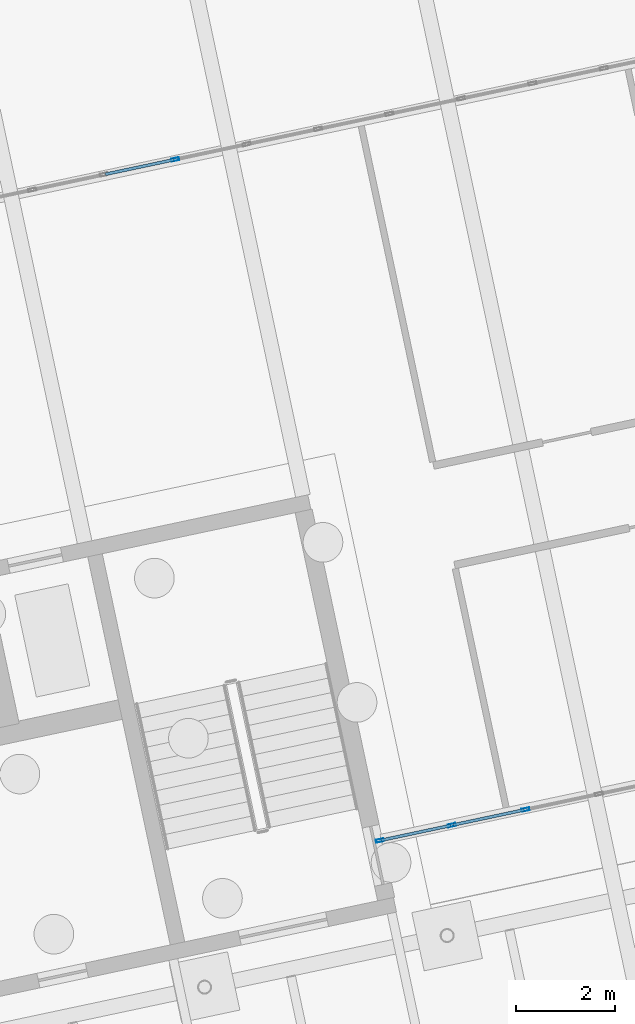
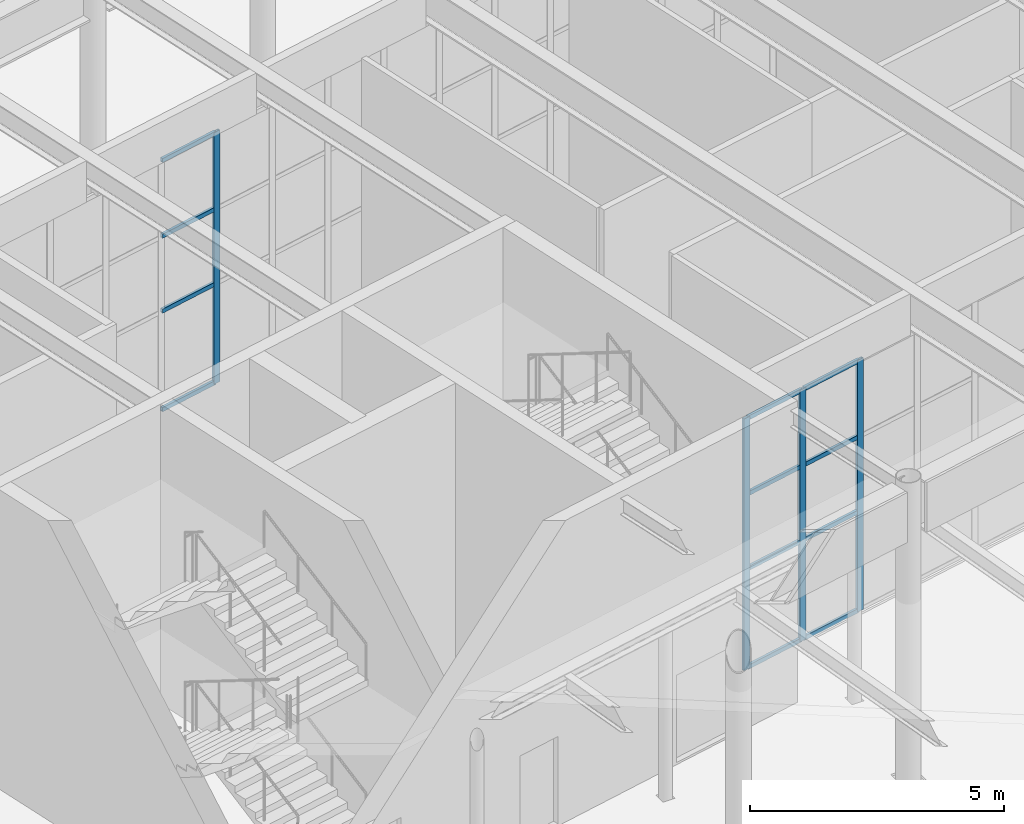
# One storey, part 84 of 239: 16 members, 2 elements without a shape of their own.
"""IFC4 building model written with IfcOpenShell, lengths in metres."""

from ifc_helpers import new_model, si_unit, direction, frame, origin, origin_2d, place, context, subcontext, project, spatial, hollow_rectangle, extrude, material, material_profile, profile_set, type_object, element, aggregate, save


model = new_model("IFC4")

# Units and contexts
model_context = context("Model", 3, precision=1e-05, world=origin(), true_north=direction((0.0, 1.0)))
body_context = subcontext(model_context, "Body", "Model", "MODEL_VIEW")
ifc_project = project(units=[si_unit("LENGTHUNIT", "METRE"), si_unit("AREAUNIT", "SQUARE_METRE"), si_unit("VOLUMEUNIT", "CUBIC_METRE"), si_unit("PLANEANGLEUNIT", "RADIAN"), si_unit("MASSUNIT", "GRAM", prefix="KILO")], contexts=[model_context])

# Site, building, storey
site_placement = place(None, origin())
site = spatial("IfcSite", under=ifc_project, at=site_placement, CompositionType="ELEMENT")
building_placement = place(site_placement, origin())
building = spatial("IfcBuilding", under=site, at=building_placement, Name="Okhra Congress Centre", CompositionType="ELEMENT")
storey_placement = place(building_placement, origin())
storey = spatial("IfcBuildingStorey", under=building, at=storey_placement, Name="L00", CompositionType="ELEMENT", Elevation=0.0)

# Curtain wall, members
ifc_material_1 = material(Name="Aluminium curtain wall, triple glazing", Category="aluminium")
curtain_wall_type = type_object("IfcCurtainWallType", Name="Curtain wall 1500 module", PredefinedType="NOTDEFINED", material=ifc_material_1)
curtain_wall_1_placement = place(storey_placement, origin())
curtain_wall_1 = element("IfcCurtainWall", 1, at=curtain_wall_1_placement, inside=storey, type_object=curtain_wall_type, Name="Ground curtain wall S4", PredefinedType="NOTDEFINED")
ifc_material_2 = material(Name="Aluminium alloy EN AW-6063 T66", Category="aluminium")
ifc_material_profile_1 = material_profile(ifc_material_2, hollow_rectangle(XDim=0.06005859375, YDim=0.159912109375, WallThickness=0.00390625, at=origin_2d()), Name="RHS 60x160x4")
ifc_profile_set_1 = profile_set([ifc_material_profile_1], Name="Aluminium alloy EN AW-6063 T66")
member_type_1 = type_object("IfcMemberType", Name="Curtain wall mullion 60x160", PredefinedType="MULLION", material=ifc_profile_set_1)
member_1_placement = place(storey_placement, frame((148.103271484375, 50.28466796875, 0.0), z_axis=(0.0, 0.0, 1.0), x_axis=(-0.207911690818, 0.978147600734, 0.0)))
member_1 = element("IfcMember", 2, at=member_1_placement, type_object=member_type_1, Name="CW7 mullion 1", PredefinedType="MULLION", context=body_context, shape_type="SweptSolid", body=[
    extrude(hollow_rectangle(XDim=0.06005859375, YDim=0.159912109375, WallThickness=0.00390625, at=origin_2d()), origin(), (0.0, 0.0, 1.0), 6.050048828125),
])
member_2_placement = place(storey_placement, frame((149.557861328125, 50.593994140625, 0.0), z_axis=(0.0, 0.0, 1.0), x_axis=(-0.207911690818, 0.978147600734, 0.0)))
member_2 = element("IfcMember", 3, at=member_2_placement, type_object=member_type_1, Name="CW7 mullion 2", PredefinedType="MULLION", context=body_context, shape_type="SweptSolid", body=[
    extrude(hollow_rectangle(XDim=0.06005859375, YDim=0.159912109375, WallThickness=0.00390625, at=origin_2d()), origin(), (0.0, 0.0, 1.0), 6.050048828125),
])
member_3_placement = place(storey_placement, frame((151.041748046875, 50.909423828125, 0.0), z_axis=(0.0, 0.0, 1.0), x_axis=(-0.207911690818, 0.978147600734, 0.0)))
member_3 = element("IfcMember", 4, at=member_3_placement, type_object=member_type_1, Name="CW7 mullion 3", PredefinedType="MULLION", context=body_context, shape_type="SweptSolid", body=[
    extrude(hollow_rectangle(XDim=0.06005859375, YDim=0.159912109375, WallThickness=0.00390625, at=origin_2d()), origin(), (0.0, 0.0, 1.0), 6.050048828125),
])

# Curtain wall, member
curtain_wall_2_placement = place(storey_placement, origin())
curtain_wall_2 = element("IfcCurtainWall", 5, at=curtain_wall_2_placement, inside=storey, type_object=curtain_wall_type, Name="Ground curtain wall N9", PredefinedType="NOTDEFINED")
member_4_placement = place(storey_placement, frame((143.97998046875, 64.017578125, 0.0), z_axis=(0.0, 0.0, 1.0), x_axis=(-0.207911690818, 0.978147600734, 0.0)))
member_4 = element("IfcMember", 6, at=member_4_placement, type_object=member_type_1, Name="CW7 mullion 5", PredefinedType="MULLION", context=body_context, shape_type="SweptSolid", body=[
    extrude(hollow_rectangle(XDim=0.06005859375, YDim=0.159912109375, WallThickness=0.00390625, at=origin_2d()), origin(), (0.0, 0.0, 1.0), 6.050048828125),
])

# Member
ifc_material_profile_2 = material_profile(ifc_material_2, hollow_rectangle(XDim=0.06005859375, YDim=0.10009765625, WallThickness=0.00390625, at=origin_2d()), Name="RHS 60x100x4")
ifc_profile_set_2 = profile_set([ifc_material_profile_2], Name="Aluminium alloy EN AW-6063 T66")
member_type_2 = type_object("IfcMemberType", Name="Curtain wall transom 60x100", PredefinedType="USERDEFINED", material=ifc_profile_set_2)
member_5_placement = place(storey_placement, frame((148.132568359375, 50.291015625, 0.030029296875), z_axis=(0.978161459428, 0.207846480099, 0.0), x_axis=(-0.207846480099, 0.978161459428, 0.0)))
member_5 = element("IfcMember", 7, at=member_5_placement, type_object=member_type_2, Name="CW7 transom 1.1", ObjectType="TRANSOM", PredefinedType="USERDEFINED", context=body_context, shape_type="SweptSolid", body=[
    extrude(hollow_rectangle(XDim=0.06005859375, YDim=0.10009765625, WallThickness=0.00390625, at=origin_2d()), origin(), (0.0, 0.0, 1.0), 1.42724609375),
])

member_6_placement = place(storey_placement, frame((148.132568359375, 50.291015625, 2.39990234375), z_axis=(0.978161459428, 0.207846480099, 0.0), x_axis=(-0.207846480099, 0.978161459428, 0.0)))
member_6 = element("IfcMember", 8, at=member_6_placement, type_object=member_type_2, Name="CW7 transom 1.2", ObjectType="TRANSOM", PredefinedType="USERDEFINED", context=body_context, shape_type="SweptSolid", body=[
    extrude(hollow_rectangle(XDim=0.06005859375, YDim=0.10009765625, WallThickness=0.00390625, at=origin_2d()), origin(), (0.0, 0.0, 1.0), 1.42724609375),
])

member_7_placement = place(storey_placement, frame((148.132568359375, 50.291015625, 4.199951171875), z_axis=(0.978161459428, 0.207846480099, 0.0), x_axis=(-0.207846480099, 0.978161459428, 0.0)))
member_7 = element("IfcMember", 9, at=member_7_placement, type_object=member_type_2, Name="CW7 transom 1.3", ObjectType="TRANSOM", PredefinedType="USERDEFINED", context=body_context, shape_type="SweptSolid", body=[
    extrude(hollow_rectangle(XDim=0.06005859375, YDim=0.10009765625, WallThickness=0.00390625, at=origin_2d()), origin(), (0.0, 0.0, 1.0), 1.42724609375),
])

member_8_placement = place(storey_placement, frame((148.132568359375, 50.291015625, 6.02001953125), z_axis=(0.978161459428, 0.207846480099, 0.0), x_axis=(-0.207846480099, 0.978161459428, 0.0)))
member_8 = element("IfcMember", 10, at=member_8_placement, type_object=member_type_2, Name="CW7 transom 1.4", ObjectType="TRANSOM", PredefinedType="USERDEFINED", context=body_context, shape_type="SweptSolid", body=[
    extrude(hollow_rectangle(XDim=0.06005859375, YDim=0.10009765625, WallThickness=0.00390625, at=origin_2d()), origin(), (0.0, 0.0, 1.0), 1.42724609375),
])

member_9_placement = place(storey_placement, frame((149.587158203125, 50.60009765625, 0.030029296875), z_axis=(0.978144370647, 0.2079268866, 0.0), x_axis=(-0.2079268866, 0.978144370647, 0.0)))
member_9 = element("IfcMember", 11, at=member_9_placement, type_object=member_type_2, Name="CW7 transom 2.1", ObjectType="TRANSOM", PredefinedType="USERDEFINED", context=body_context, shape_type="SweptSolid", body=[
    extrude(hollow_rectangle(XDim=0.06005859375, YDim=0.10009765625, WallThickness=0.00390625, at=origin_2d()), origin(), (0.0, 0.0, 1.0), 1.45703125),
])

member_10_placement = place(storey_placement, frame((149.587158203125, 50.60009765625, 2.39990234375), z_axis=(0.978144370647, 0.2079268866, 0.0), x_axis=(-0.2079268866, 0.978144370647, 0.0)))
member_10 = element("IfcMember", 12, at=member_10_placement, type_object=member_type_2, Name="CW7 transom 2.2", ObjectType="TRANSOM", PredefinedType="USERDEFINED", context=body_context, shape_type="SweptSolid", body=[
    extrude(hollow_rectangle(XDim=0.06005859375, YDim=0.10009765625, WallThickness=0.00390625, at=origin_2d()), origin(), (0.0, 0.0, 1.0), 1.45703125),
])

member_11_placement = place(storey_placement, frame((149.587158203125, 50.60009765625, 4.199951171875), z_axis=(0.978144370647, 0.2079268866, 0.0), x_axis=(-0.2079268866, 0.978144370647, 0.0)))
member_11 = element("IfcMember", 13, at=member_11_placement, type_object=member_type_2, Name="CW7 transom 2.3", ObjectType="TRANSOM", PredefinedType="USERDEFINED", context=body_context, shape_type="SweptSolid", body=[
    extrude(hollow_rectangle(XDim=0.06005859375, YDim=0.10009765625, WallThickness=0.00390625, at=origin_2d()), origin(), (0.0, 0.0, 1.0), 1.45703125),
])

member_12_placement = place(storey_placement, frame((149.587158203125, 50.60009765625, 6.02001953125), z_axis=(0.978144370647, 0.2079268866, 0.0), x_axis=(-0.2079268866, 0.978144370647, 0.0)))
member_12 = element("IfcMember", 14, at=member_12_placement, type_object=member_type_2, Name="CW7 transom 2.4", ObjectType="TRANSOM", PredefinedType="USERDEFINED", context=body_context, shape_type="SweptSolid", body=[
    extrude(hollow_rectangle(XDim=0.06005859375, YDim=0.10009765625, WallThickness=0.00390625, at=origin_2d()), origin(), (0.0, 0.0, 1.0), 1.45703125),
])

aggregate(curtain_wall_1, [member_1, member_2, member_3, member_5, member_6, member_7, member_8, member_9, member_10, member_11, member_12])

member_13_placement = place(storey_placement, frame((142.568603515625, 63.717529296875, 0.030029296875), z_axis=(0.978157533477, 0.207864955445, 0.0), x_axis=(-0.207864955445, 0.978157533477, 0.0)))
member_13 = element("IfcMember", 15, at=member_13_placement, type_object=member_type_2, Name="CW7 transom 4.1", ObjectType="TRANSOM", PredefinedType="USERDEFINED", context=body_context, shape_type="SweptSolid", body=[
    extrude(hollow_rectangle(XDim=0.06005859375, YDim=0.10009765625, WallThickness=0.00390625, at=origin_2d()), origin(), (0.0, 0.0, 1.0), 1.412841796875),
])

member_14_placement = place(storey_placement, frame((142.568603515625, 63.717529296875, 2.39990234375), z_axis=(0.978157533477, 0.207864955445, 0.0), x_axis=(-0.207864955445, 0.978157533477, 0.0)))
member_14 = element("IfcMember", 16, at=member_14_placement, type_object=member_type_2, Name="CW7 transom 4.2", ObjectType="TRANSOM", PredefinedType="USERDEFINED", context=body_context, shape_type="SweptSolid", body=[
    extrude(hollow_rectangle(XDim=0.06005859375, YDim=0.10009765625, WallThickness=0.00390625, at=origin_2d()), origin(), (0.0, 0.0, 1.0), 1.412841796875),
])

member_15_placement = place(storey_placement, frame((142.568603515625, 63.717529296875, 4.199951171875), z_axis=(0.978157533477, 0.207864955445, 0.0), x_axis=(-0.207864955445, 0.978157533477, 0.0)))
member_15 = element("IfcMember", 17, at=member_15_placement, type_object=member_type_2, Name="CW7 transom 4.3", ObjectType="TRANSOM", PredefinedType="USERDEFINED", context=body_context, shape_type="SweptSolid", body=[
    extrude(hollow_rectangle(XDim=0.06005859375, YDim=0.10009765625, WallThickness=0.00390625, at=origin_2d()), origin(), (0.0, 0.0, 1.0), 1.412841796875),
])

member_16_placement = place(storey_placement, frame((142.568603515625, 63.717529296875, 6.02001953125), z_axis=(0.978157533477, 0.207864955445, 0.0), x_axis=(-0.207864955445, 0.978157533477, 0.0)))
member_16 = element("IfcMember", 18, at=member_16_placement, type_object=member_type_2, Name="CW7 transom 4.4", ObjectType="TRANSOM", PredefinedType="USERDEFINED", context=body_context, shape_type="SweptSolid", body=[
    extrude(hollow_rectangle(XDim=0.06005859375, YDim=0.10009765625, WallThickness=0.00390625, at=origin_2d()), origin(), (0.0, 0.0, 1.0), 1.412841796875),
])

aggregate(curtain_wall_2, [member_4, member_13, member_14, member_15, member_16])

save(model, "model.ifc")
